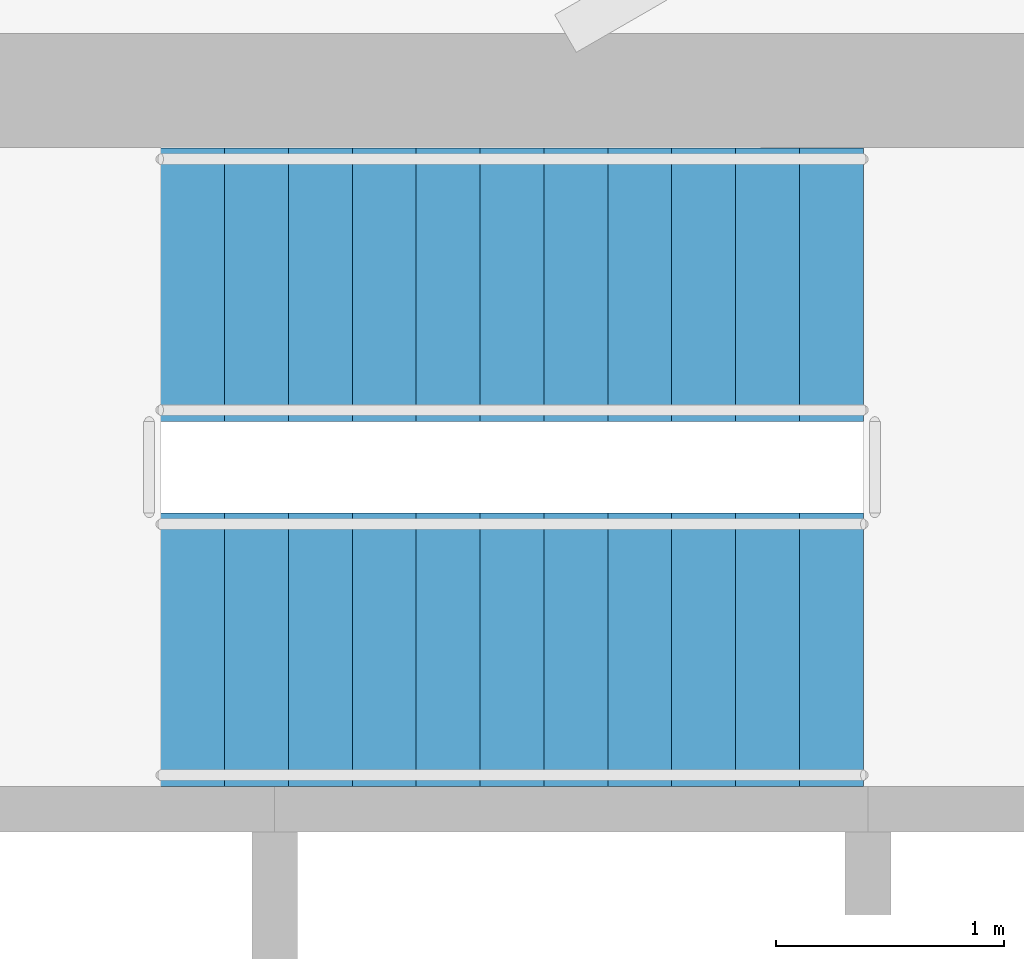
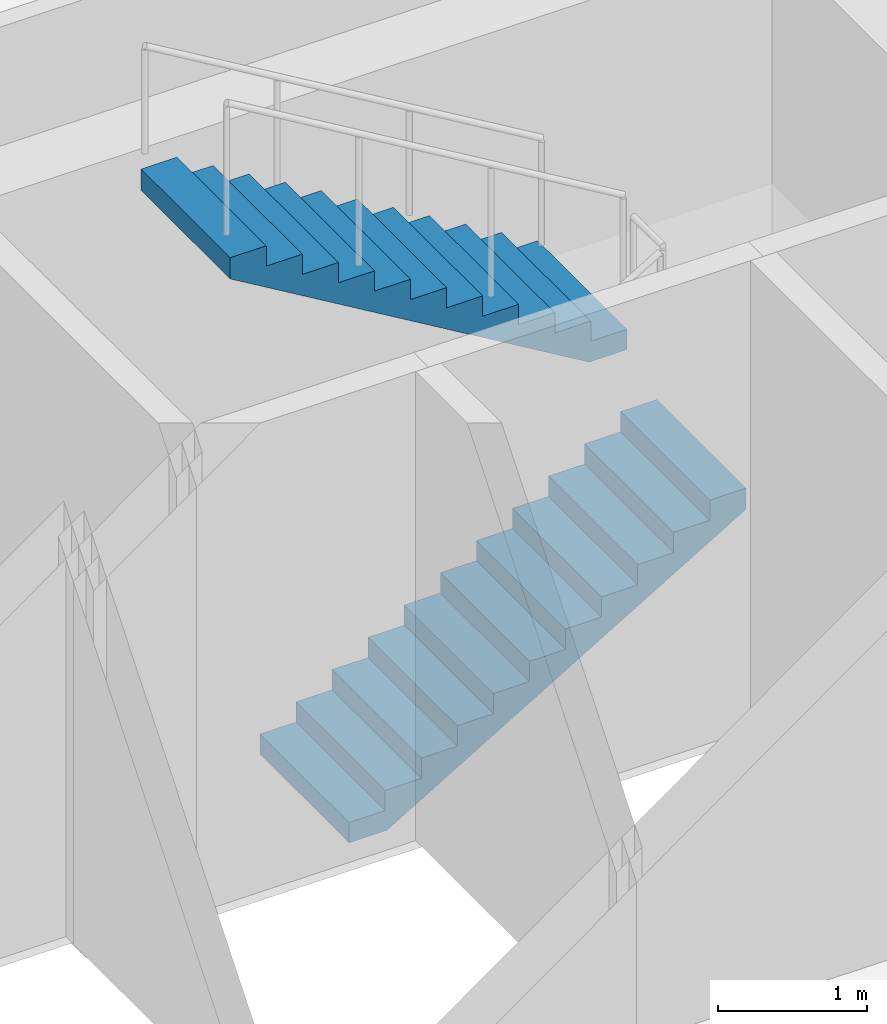
# One storey, part 13 of 17: 2 stair flights, 1 element without a shape of its own.
"""IFC4 building model written with IfcOpenShell, lengths in metres."""

from ifc_helpers import new_model, si_unit, direction, frame, origin, place, context, subcontext, project, spatial, polyline, outline, extrude, material, type_object, element, aggregate, save


model = new_model("IFC4")

# Units and contexts
model_context = context("Model", 3, precision=1e-05, world=origin(), true_north=direction((0.0, 1.0)))
body_context = subcontext(model_context, "Body", "Model", "MODEL_VIEW")
ifc_project = project(units=[si_unit("LENGTHUNIT", "METRE"), si_unit("AREAUNIT", "SQUARE_METRE"), si_unit("VOLUMEUNIT", "CUBIC_METRE"), si_unit("PLANEANGLEUNIT", "RADIAN"), si_unit("MASSUNIT", "GRAM", prefix="KILO")], contexts=[model_context])

# Site, building, storey
site_placement = place(None, origin())
site = spatial("IfcSite", under=ifc_project, at=site_placement, CompositionType="ELEMENT")
building_placement = place(site_placement, origin())
building = spatial("IfcBuilding", under=site, at=building_placement, Name="Sierra Prisma Convention Tower", CompositionType="ELEMENT")
storey_placement = place(building_placement, frame((0.0, 0.0, 153.800048828125)))
storey = spatial("IfcBuildingStorey", under=building, at=storey_placement, Name="L33", CompositionType="ELEMENT", Elevation=153.800048828125)

# Stair, stair flights
ifc_material_1 = material(Name="Concrete C30/37", Category="concrete")
stair_type = type_object("IfcStairType", Name="Stair dog-leg 1200 RC", PredefinedType="HALF_TURN_STAIR", material=ifc_material_1)
stair_placement = place(storey_placement, origin())
stair = element("IfcStair", 1, at=stair_placement, inside=storey, type_object=stair_type, Name="L33 S4", PredefinedType="HALF_TURN_STAIR")
ifc_material_2 = material(Name="Concrete C30/37", Category="concrete")
stair_flight_type = type_object("IfcStairFlightType", Name="Stair flight RC 1200", PredefinedType="STRAIGHT", material=ifc_material_2)
stair_flight_1_placement = place(storey_placement, frame((5.60009765625, 5.300048828125, 0.0), z_axis=(0.0, 0.0, 1.0), x_axis=(1.0, 0.0, 0.0)))
stair_flight_1 = element("IfcStairFlight", 2, at=stair_flight_1_placement, type_object=stair_flight_type, Name="S4 flight 1", NumberOfRisers=12, NumberOfTreads=11, PredefinedType="STRAIGHT", RiserHeight=0.166666667, TreadLength=0.28, context=body_context, shape_type="SweptSolid", body=[
    extrude(outline(polyline([(0.0, 0.0), (0.0, 0.166748046875), (0.280029296875, 0.166748046875), (0.280029296875, 0.333251953125), (0.56005859375, 0.333251953125), (0.56005859375, 0.5), (0.840087890625, 0.5), (0.840087890625, 0.666748046875), (1.1201171875, 0.666748046875), (1.1201171875, 0.833251953125), (1.39990234375, 0.833251953125), (1.39990234375, 1.0), (1.679931640625, 1.0), (1.679931640625, 1.166748046875), (1.9599609375, 1.166748046875), (1.9599609375, 1.333251953125), (2.239990234375, 1.333251953125), (2.239990234375, 1.5), (2.52001953125, 1.5), (2.52001953125, 1.666748046875), (2.800048828125, 1.666748046875), (2.800048828125, 1.833251953125), (3.080078125, 1.833251953125), (3.080078125, 2.0), (3.080078125, 1.658935546875), (0.29296875, 0.0), (0.0, 0.0)])), frame((0.0, 0.60009765625, 0.0), z_axis=(0.0, -1.0, 0.0), x_axis=(1.0, 0.0, 0.0)), (0.0, 0.0, 1.0), 1.199951171875),
])
stair_flight_2_placement = place(storey_placement, frame((8.679931640625, 6.89990234375, 2.0), z_axis=(0.0, 0.0, 1.0), x_axis=(-1.0, 0.0, 0.0)))
stair_flight_2 = element("IfcStairFlight", 3, at=stair_flight_2_placement, type_object=stair_flight_type, Name="S4 flight 2", NumberOfRisers=12, NumberOfTreads=11, PredefinedType="STRAIGHT", RiserHeight=0.166666667, TreadLength=0.28, context=body_context, shape_type="SweptSolid", body=[
    extrude(outline(polyline([(0.0, 0.0), (0.0, 0.166748046875), (0.280029296875, 0.166748046875), (0.280029296875, 0.333251953125), (0.56005859375, 0.333251953125), (0.56005859375, 0.5), (0.840087890625, 0.5), (0.840087890625, 0.666748046875), (1.1201171875, 0.666748046875), (1.1201171875, 0.833251953125), (1.39990234375, 0.833251953125), (1.39990234375, 1.0), (1.679931640625, 1.0), (1.679931640625, 1.166748046875), (1.9599609375, 1.166748046875), (1.9599609375, 1.333251953125), (2.239990234375, 1.333251953125), (2.239990234375, 1.5), (2.52001953125, 1.5), (2.52001953125, 1.666748046875), (2.800048828125, 1.666748046875), (2.800048828125, 1.833251953125), (3.080078125, 1.833251953125), (3.080078125, 2.0), (3.080078125, 1.658935546875), (0.29296875, 0.0), (0.0, 0.0)])), frame((0.0, 0.60009765625, 0.0), z_axis=(0.0, -1.0, 0.0), x_axis=(1.0, 0.0, 0.0)), (0.0, 0.0, 1.0), 1.199951171875),
])
aggregate(stair, [stair_flight_1, stair_flight_2])

save(model, "model.ifc")
